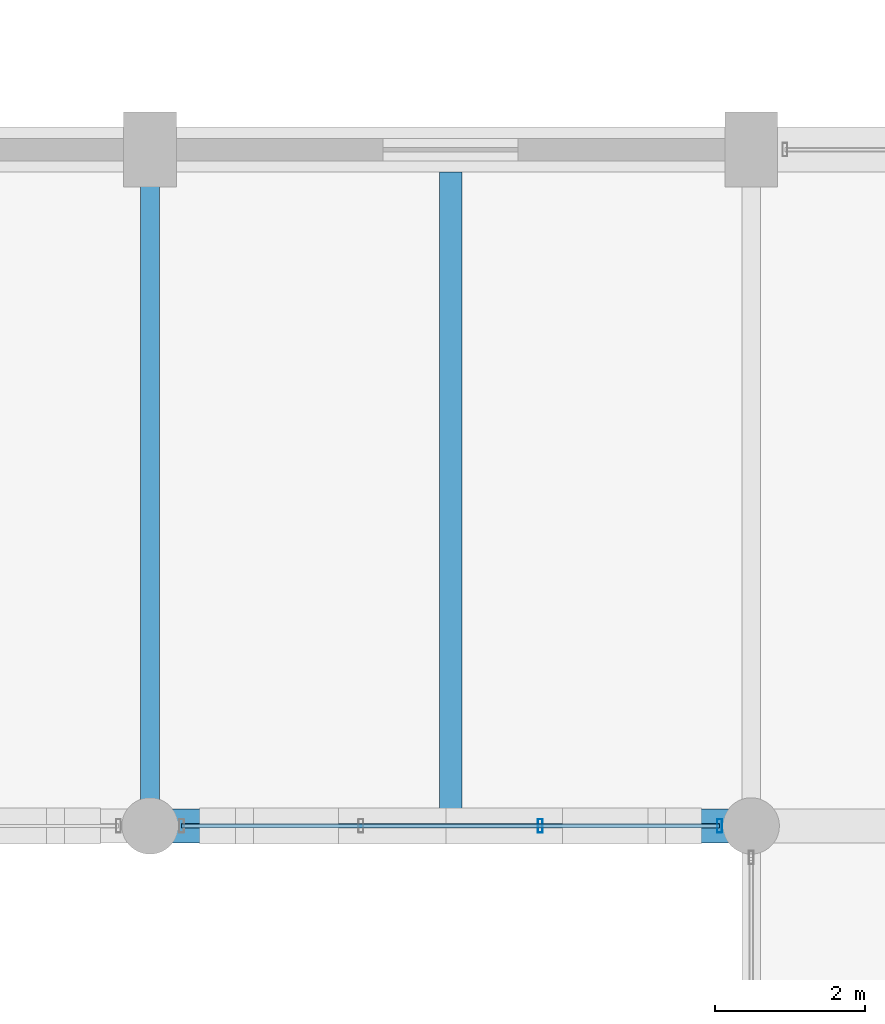
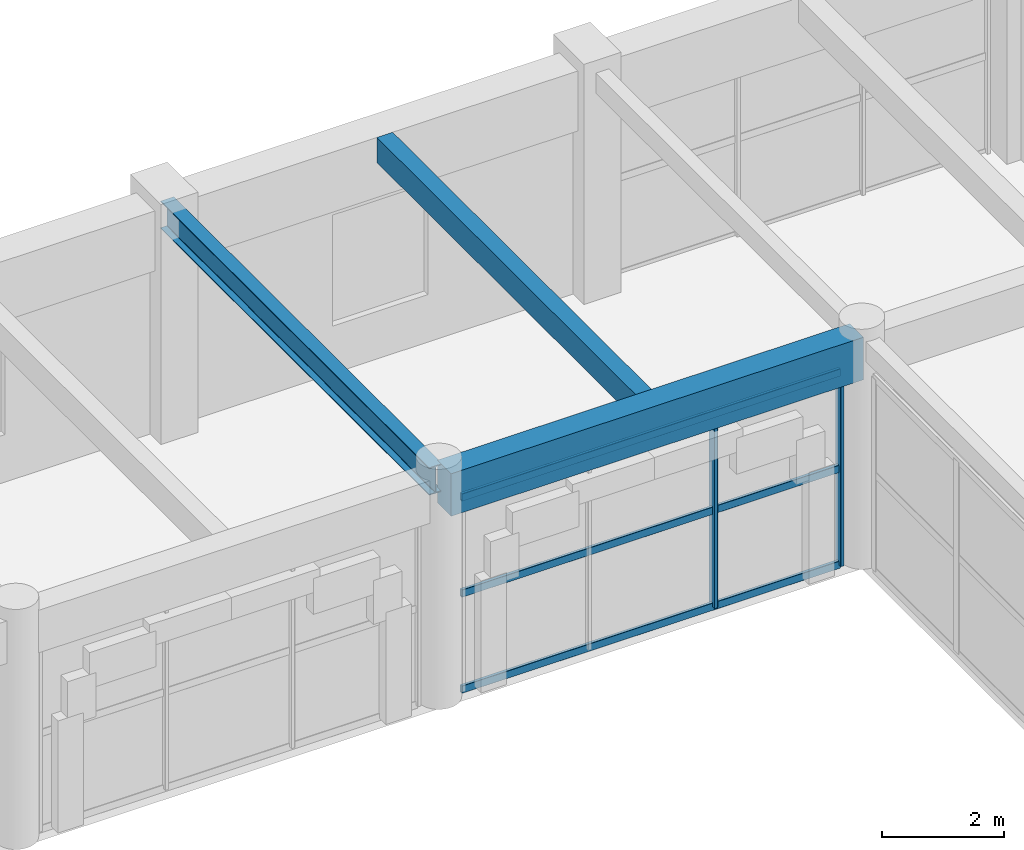
# One storey, part 78 of 144: 5 members, 3 beams, 1 element without a shape of its own.
"""IFC4 building model written with IfcOpenShell, lengths in metres."""

from ifc_helpers import new_model, si_unit, direction, frame, origin, origin_2d, place, context, subcontext, project, spatial, rectangle, hollow_rectangle, i_section, extrude, material, material_profile, profile_set, type_object, element, aggregate, save


model = new_model("IFC4")

# Units and contexts
model_context = context("Model", 3, precision=1e-05, world=origin(), true_north=direction((0.0, 1.0)))
body_context = subcontext(model_context, "Body", "Model", "MODEL_VIEW")
ifc_project = project(units=[si_unit("LENGTHUNIT", "METRE"), si_unit("AREAUNIT", "SQUARE_METRE"), si_unit("VOLUMEUNIT", "CUBIC_METRE"), si_unit("PLANEANGLEUNIT", "RADIAN"), si_unit("MASSUNIT", "GRAM", prefix="KILO")], contexts=[model_context])

# Site, building, storey
site_placement = place(None, origin())
site = spatial("IfcSite", under=ifc_project, at=site_placement, CompositionType="ELEMENT")
building_placement = place(site_placement, origin())
building = spatial("IfcBuilding", under=site, at=building_placement, Name="Varnabhumi Central Station", CompositionType="ELEMENT")
storey_placement = place(building_placement, frame((0.0, 0.0, 4.800048828125)))
storey = spatial("IfcBuildingStorey", under=building, at=storey_placement, Name="L01", CompositionType="ELEMENT", Elevation=4.800048828125)

# Beams
ifc_material_1 = material(Name="Concrete M40", Category="concrete")
ifc_material_profile_1 = material_profile(ifc_material_1, rectangle(XDim=0.300048828125, YDim=0.5, at=origin_2d()), Name="Concrete M40", Category="concrete")
ifc_profile_set_1 = profile_set([ifc_material_profile_1], Name="Concrete M40")
beam_type_1 = type_object("IfcBeamType", Name="BM-RC-300x500", PredefinedType="JOIST", material=ifc_profile_set_1)
beam_1_placement = place(storey_placement, frame((140.0, 27.22509765625, 4.300048828125), z_axis=(0.0, 1.0, 0.0), x_axis=(-1.0, 0.0, 0.0)))
element("IfcBeam", 1, at=beam_1_placement, inside=storey, type_object=beam_type_1, Name="Secondary Joist L01-18/19:D-E", PredefinedType="JOIST", context=body_context, shape_type="SweptSolid", body=[
    extrude(rectangle(XDim=0.300048828125, YDim=0.5, at=origin_2d()), origin(), (0.0, 0.0, 1.0), 8.474853515625),
])
ifc_material_profile_2 = material_profile(ifc_material_1, rectangle(XDim=0.449951171875, YDim=0.85009765625, at=origin_2d()), Name="Concrete M40", Category="concrete")
ifc_profile_set_2 = profile_set([ifc_material_profile_2], Name="Concrete M40")
beam_type_2 = type_object("IfcBeamType", Name="BM-RC-450x850", PredefinedType="BEAM", material=ifc_profile_set_2)
beam_2_placement = place(storey_placement, frame((136.10009765625, 27.0, 4.125), z_axis=(1.0, 0.0, 0.0), x_axis=(0.0, 1.0, 0.0)))
element("IfcBeam", 2, at=beam_2_placement, inside=storey, type_object=beam_type_2, Name="Beam L01-D:18-19", PredefinedType="BEAM", context=body_context, shape_type="SweptSolid", body=[
    extrude(rectangle(XDim=0.449951171875, YDim=0.85009765625, at=origin_2d()), origin(), (0.0, 0.0, 1.0), 7.7998046875),
])
ifc_material_2 = material(Name="Structural steel E350", Category="steel")
ifc_material_profile_3 = material_profile(ifc_material_2, i_section(OverallWidth=0.25, OverallDepth=0.550048828125, WebThickness=0.010498046875, FlangeThickness=0.017578125, FilletRadius=0.01611328125, at=origin_2d()), Name="Structural steel E350", Category="steel")
ifc_profile_set_3 = profile_set([ifc_material_profile_3], Name="Structural steel E350")
beam_type_3 = type_object("IfcBeamType", Name="BM-STL-ISWB550", PredefinedType="BEAM", material=ifc_profile_set_3)
beam_3_placement = place(storey_placement, frame((136.0, 27.10009765625, 4.27490234375), z_axis=(0.0, 1.0, 0.0), x_axis=(-1.0, 0.0, 0.0)))
element("IfcBeam", 3, at=beam_3_placement, inside=storey, type_object=beam_type_3, Name="Beam L01-18:D-E", PredefinedType="BEAM", context=body_context, shape_type="SweptSolid", body=[
    extrude(i_section(OverallWidth=0.25, OverallDepth=0.550048828125, WebThickness=0.010498046875, FlangeThickness=0.017578125, FilletRadius=0.01611328125, at=origin_2d()), origin(), (0.0, 0.0, 1.0), 8.7998046875),
])

# Curtain wall, members
ifc_material_3 = material(Name="Anodised aluminium 6063-T6", Category="aluminium")
curtain_wall_type = type_object("IfcCurtainWallType", Name="CW-PATIO-LOGGIA-L1", PredefinedType="NOTDEFINED", material=ifc_material_3)
curtain_wall_placement = place(storey_placement, origin())
curtain_wall = element("IfcCurtainWall", 4, at=curtain_wall_placement, inside=storey, type_object=curtain_wall_type, Name="Curtain Wall CW-SP1N4", PredefinedType="NOTDEFINED")
ifc_material_profile_4 = material_profile(ifc_material_3, hollow_rectangle(XDim=0.06494140625, YDim=0.179931640625, WallThickness=0.00390625, InnerFilletRadius=0.001953125, OuterFilletRadius=0.006103515625, at=origin_2d()), Name="Anodised aluminium 6063-T6", Category="aluminium")
ifc_profile_set_4 = profile_set([ifc_material_profile_4], Name="Anodised aluminium 6063-T6")
member_type_1 = type_object("IfcMemberType", Name="CW-MUL-180", PredefinedType="MULLION", material=ifc_profile_set_4)
member_1_placement = place(storey_placement, frame((141.193359375, 27.0, 0.0), z_axis=(0.0, 0.0, 1.0), x_axis=(1.0, 0.0, 0.0)))
member_1 = element("IfcMember", 5, at=member_1_placement, type_object=member_type_1, Name="Curtain Wall Mullion CW-SP1N4-M3", PredefinedType="MULLION", context=body_context, shape_type="SweptSolid", body=[
    extrude(hollow_rectangle(XDim=0.06494140625, YDim=0.179931640625, WallThickness=0.00390625, InnerFilletRadius=0.001953125, OuterFilletRadius=0.006103515625, at=origin_2d()), origin(), (0.0, 0.0, 1.0), 3.83984375),
])
member_2_placement = place(storey_placement, frame((143.580078125, 27.0, 0.0), z_axis=(0.0, 0.0, 1.0), x_axis=(1.0, 0.0, 0.0)))
member_2 = element("IfcMember", 6, at=member_2_placement, type_object=member_type_1, Name="Curtain Wall Mullion CW-SP1N4-M4", PredefinedType="MULLION", context=body_context, shape_type="SweptSolid", body=[
    extrude(hollow_rectangle(XDim=0.06494140625, YDim=0.179931640625, WallThickness=0.00390625, InnerFilletRadius=0.001953125, OuterFilletRadius=0.006103515625, at=origin_2d()), origin(), (0.0, 0.0, 1.0), 3.83984375),
])
ifc_material_profile_5 = material_profile(ifc_material_3, hollow_rectangle(XDim=0.06005859375, YDim=0.14990234375, WallThickness=0.00390625, InnerFilletRadius=0.001953125, OuterFilletRadius=0.006103515625, at=origin_2d()), Name="Anodised aluminium 6063-T6", Category="aluminium")
ifc_profile_set_5 = profile_set([ifc_material_profile_5], Name="Anodised aluminium 6063-T6")
member_type_2 = type_object("IfcMemberType", Name="CW-TR-150", PredefinedType="USERDEFINED", material=ifc_profile_set_5)
member_3_placement = place(storey_placement, frame((136.419921875, 27.0, 0.0), z_axis=(1.0, 0.0, 0.0), x_axis=(0.0, 1.0, 0.0)))
member_3 = element("IfcMember", 7, at=member_3_placement, type_object=member_type_2, Name="Curtain Wall Transom CW-SP1N4-T1", ObjectType="TRANSOM", PredefinedType="USERDEFINED", context=body_context, shape_type="SweptSolid", body=[
    extrude(hollow_rectangle(XDim=0.06005859375, YDim=0.14990234375, WallThickness=0.00390625, InnerFilletRadius=0.001953125, OuterFilletRadius=0.006103515625, at=origin_2d()), origin(), (0.0, 0.0, 1.0), 7.16015625),
])
member_4_placement = place(storey_placement, frame((136.419921875, 27.0, 1.919921875), z_axis=(1.0, 0.0, 0.0), x_axis=(0.0, 1.0, 0.0)))
member_4 = element("IfcMember", 8, at=member_4_placement, type_object=member_type_2, Name="Curtain Wall Transom CW-SP1N4-T2", ObjectType="TRANSOM", PredefinedType="USERDEFINED", context=body_context, shape_type="SweptSolid", body=[
    extrude(hollow_rectangle(XDim=0.06005859375, YDim=0.14990234375, WallThickness=0.00390625, InnerFilletRadius=0.001953125, OuterFilletRadius=0.006103515625, at=origin_2d()), origin(), (0.0, 0.0, 1.0), 7.16015625),
])
member_5_placement = place(storey_placement, frame((136.419921875, 27.0, 3.83984375), z_axis=(1.0, 0.0, 0.0), x_axis=(0.0, 1.0, 0.0)))
member_5 = element("IfcMember", 9, at=member_5_placement, type_object=member_type_2, Name="Curtain Wall Transom CW-SP1N4-T3", ObjectType="TRANSOM", PredefinedType="USERDEFINED", context=body_context, shape_type="SweptSolid", body=[
    extrude(hollow_rectangle(XDim=0.06005859375, YDim=0.14990234375, WallThickness=0.00390625, InnerFilletRadius=0.001953125, OuterFilletRadius=0.006103515625, at=origin_2d()), origin(), (0.0, 0.0, 1.0), 7.16015625),
])
aggregate(curtain_wall, [member_1, member_2, member_3, member_4, member_5])

save(model, "model.ifc")
